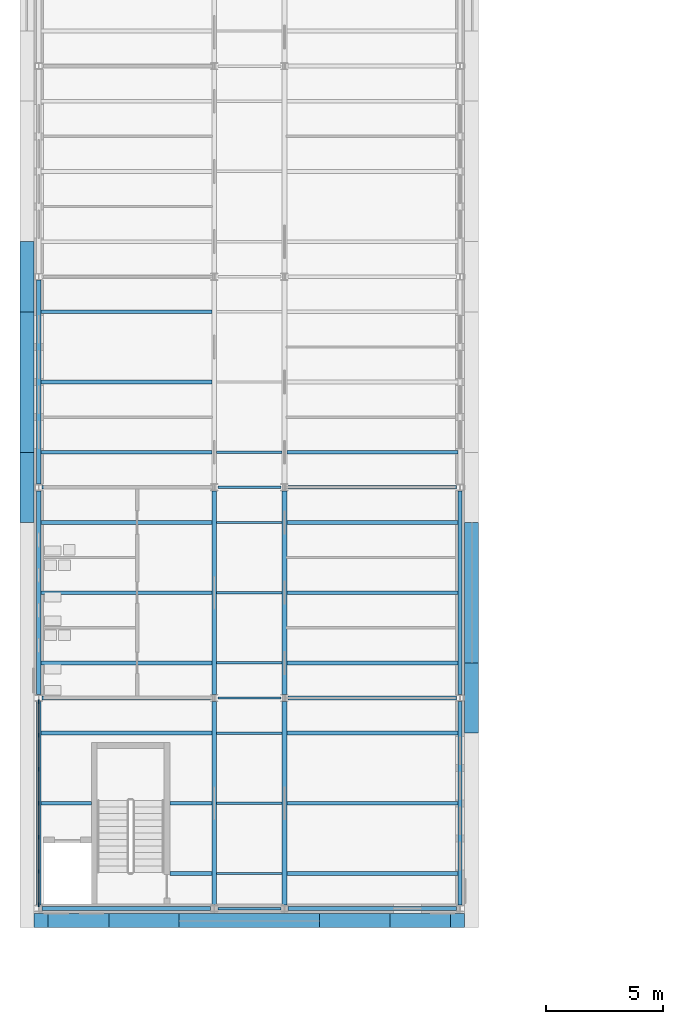
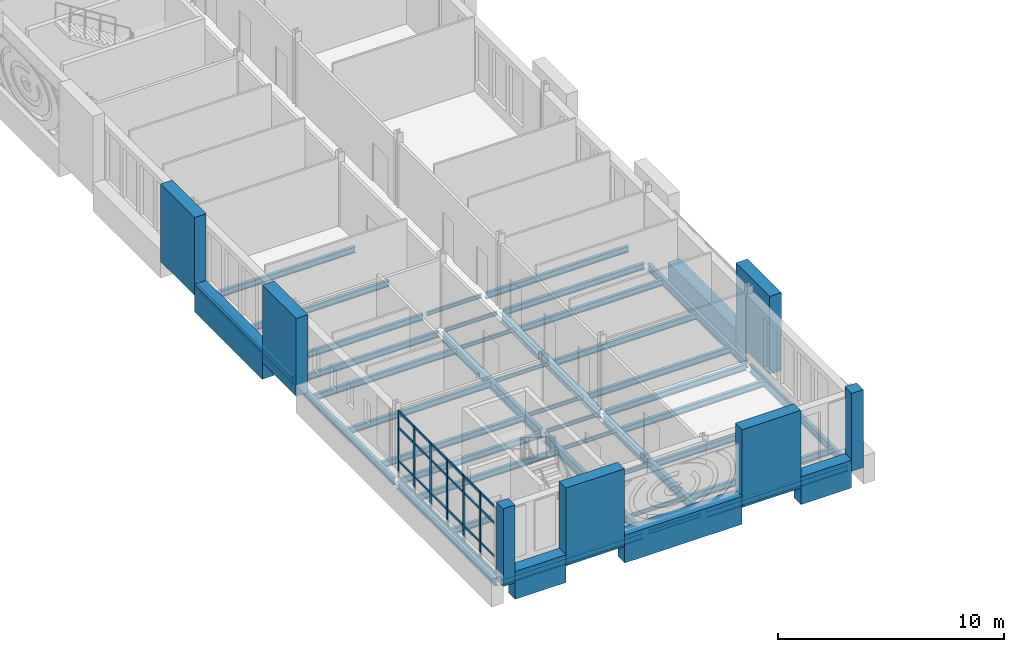
# One storey, part 18 of 154: 47 beams, 38 members, 1 element without a shape of its own.
"""IFC4 building model written with IfcOpenShell, lengths in metres."""

import ifcopenshell
import ifcopenshell.guid

model = None  # the IFC model being written
_history = None  # IfcOwnerHistory: only IFC2X3 demands one
_inside = {}  # id of a spatial element -> (the spatial element, [elements in it])
_under = {}  # id of a project, library or spatial element -> (it, [spatial elements below it])
_declared = {}  # id of a project -> (the project, [libraries it declares])
_typed = {}  # id of a type object -> (the type object, [elements of that type])
_made_of = {}  # id of a material, layer set ... -> (it, [elements and type objects made of it])


def new_model(schema):
    """Start an empty IFC model of exactly this schema.

    Asked for "IFC4X3", IfcOpenShell would pick the latest addendum, in which some entities
    have other attributes; the version numbers below select the first issue.
    IFC2X3 requires an IfcOwnerHistory on every rooted entity: one is made here for all.
    """
    global model, _history
    if schema == "IFC4X3":
        model = ifcopenshell.file(schema_version=(4, 3, 0, 0))
    else:
        model = ifcopenshell.file(schema=schema)
    _inside.clear()
    _under.clear()
    _declared.clear()
    _typed.clear()
    _made_of.clear()
    _history = None
    if model.schema == "IFC2X3":
        org = make("IfcOrganization", Name="unknown")
        user = make(
            "IfcPersonAndOrganization",
            ThePerson=make("IfcPerson", FamilyName="unknown"),
            TheOrganization=org,
        )
        app = make(
            "IfcApplication",
            ApplicationDeveloper=org,
            Version="unknown",
            ApplicationFullName="unknown",
            ApplicationIdentifier="unknown",
        )
        _history = make(
            "IfcOwnerHistory",
            OwningUser=user,
            OwningApplication=app,
            ChangeAction="ADDED",
            CreationDate=0,
        )
    return model


def make(cls, **values):
    """One entity of the class cls with the attributes given. An attribute that is None is left unset."""
    return model.create_entity(
        cls, **{name: value for name, value in values.items() if value is not None}
    )


def rooted(cls, **values):
    """An entity with a GlobalId (a new one), such as an element, a storey or a relation."""
    return make(cls, GlobalId=ifcopenshell.guid.new(), OwnerHistory=_history, **values)


def si_unit(unit_type, name, prefix=None):
    """IfcSIUnit, for example si_unit("LENGTHUNIT", "METRE", prefix="MILLI")."""
    return make("IfcSIUnit", UnitType=unit_type, Prefix=prefix, Name=name)


def assignment(units):
    """IfcUnitAssignment: the units of a project."""
    return None if units is None else make("IfcUnitAssignment", Units=units)


def point(xyz):
    """IfcCartesianPoint."""
    return None if xyz is None else make("IfcCartesianPoint", Coordinates=xyz)


def direction(xyz):
    """IfcDirection."""
    return None if xyz is None else make("IfcDirection", DirectionRatios=xyz)


def frame(location, z_axis=None, x_axis=None):
    """IfcAxis2Placement3D, a coordinate frame: its origin and axes. An axis left out is left unset."""
    return make(
        "IfcAxis2Placement3D",
        Location=point(location),
        Axis=direction(z_axis),
        RefDirection=direction(x_axis),
    )


def frame_2d(location, x_axis=None):
    """IfcAxis2Placement2D, a coordinate frame in the plane: its origin and x axis."""
    return make(
        "IfcAxis2Placement2D", Location=point(location), RefDirection=direction(x_axis)
    )


def origin():
    """The frame at (0, 0, 0) with its axes left unset."""
    return frame((0.0, 0.0, 0.0))


def origin_2d():
    """The frame at (0, 0) in the plane with its x axis left unset."""
    return frame_2d((0.0, 0.0))


def place(relative_to, where):
    """IfcLocalPlacement: puts the frame where relative to a parent placement (None: the world)."""
    return make(
        "IfcLocalPlacement", PlacementRelTo=relative_to, RelativePlacement=where
    )


def context(
    kind, dimensions, precision=None, world=None, true_north=None, identifier=None
):
    """IfcGeometricRepresentationContext, for example the 3D "Model" context."""
    return make(
        "IfcGeometricRepresentationContext",
        ContextIdentifier=identifier,
        ContextType=kind,
        CoordinateSpaceDimension=dimensions,
        Precision=precision,
        WorldCoordinateSystem=world,
        TrueNorth=true_north,
    )


def subcontext(parent, identifier, kind, view, scale=None):
    """IfcGeometricRepresentationSubContext, for example "Body" below "Model"."""
    return make(
        "IfcGeometricRepresentationSubContext",
        ContextIdentifier=identifier,
        ContextType=kind,
        ParentContext=parent,
        TargetScale=scale,
        TargetView=view,
    )


def project(units=None, contexts=None):
    """IfcProject with its units and contexts."""
    return rooted(
        "IfcProject",
        Name="project",
        RepresentationContexts=contexts,
        UnitsInContext=assignment(units),
    )


def spatial(cls, under=None, at=None, **own):
    """A site, building, storey or space (cls), placed at a placement, below another one or the project."""
    s = rooted(cls, ObjectPlacement=at, **own)
    if under is not None:
        _under.setdefault(under.id(), (under, []))[1].append(s)
    return s


def profile(cls, at=None, kind="AREA", **sizes):
    """A parametric profile (cls). Its sizes go by their IFC names, for example OverallWidth=200.0."""
    return make(cls, ProfileType=kind, Position=at, **sizes)


def rectangle(**sizes):
    """IfcRectangleProfileDef."""
    return profile("IfcRectangleProfileDef", **sizes)


def i_section(**sizes):
    """IfcIShapeProfileDef."""
    return profile("IfcIShapeProfileDef", **sizes)


def extrude(swept, where, along, depth):
    """IfcExtrudedAreaSolid: the profile swept, set in the frame where, extruded along a direction by depth."""
    return make(
        "IfcExtrudedAreaSolid",
        SweptArea=swept,
        Position=where,
        ExtrudedDirection=direction(along),
        Depth=depth,
    )


def shape(context_of_items, identifier, shape_type, items):
    """IfcShapeRepresentation: the items that make up one representation, for example the "Body"."""
    return make(
        "IfcShapeRepresentation",
        ContextOfItems=context_of_items,
        RepresentationIdentifier=identifier,
        RepresentationType=shape_type,
        Items=items,
    )


def material(Name=None, Category=None):
    """IfcMaterial."""
    return make("IfcMaterial", Name=Name, Category=Category)


def layer(
    of_material, thickness, ventilated=None, Name=None, Category=None, Priority=None
):
    """IfcMaterialLayer: one layer of a wall or slab, of a material (None: an air gap)."""
    return make(
        "IfcMaterialLayer",
        Material=of_material,
        LayerThickness=thickness,
        IsVentilated=ventilated,
        Name=Name,
        Category=Category,
        Priority=Priority,
    )


def layer_set(layers, Name=None):
    """IfcMaterialLayerSet."""
    return make("IfcMaterialLayerSet", MaterialLayers=layers, LayerSetName=Name)


def material_profile(
    of_material, cross_section, Name=None, Category=None, Priority=None
):
    """IfcMaterialProfile: a cross section and its material."""
    return make(
        "IfcMaterialProfile",
        Name=Name,
        Material=of_material,
        Profile=cross_section,
        Priority=Priority,
        Category=Category,
    )


def profile_set(profiles, Name=None, composite=None):
    """IfcMaterialProfileSet."""
    return make(
        "IfcMaterialProfileSet",
        Name=Name,
        MaterialProfiles=profiles,
        CompositeProfile=composite,
    )


def made_of(thing, what):
    """Note that an element or type object is made of a material, layer set ...; save() writes the relation."""
    if what is not None:
        _made_of.setdefault(what.id(), (what, []))[1].append(thing)
    return thing


def type_object(cls, material=None, **own):
    """A type object (cls), such as IfcWallType, which elements share."""
    return made_of(rooted(cls, **own), material)


def element(
    cls,
    number,
    at=None,
    inside=None,
    cuts=None,
    type_object=None,
    material=None,
    context=None,
    identifier="Body",
    shape_type=None,
    held_by="IfcProductDefinitionShape",
    body=None,
    shapes=None,
    **own,
):
    """One element of the class cls, such as IfcWall. Its Tag is "e" and its number.

    at: its placement. inside: the storey or other place that contains it. cuts: it is an
    opening in that element (IfcRelVoidsElement). A single representation is given by context,
    identifier, shape_type and body (its items); several are given by shapes. held_by: the class
    of the entity that holds the representations. save() writes the other relations.
    """
    e = rooted(cls, Tag="e%d" % number, ObjectPlacement=at, **own)
    if body is not None:
        shapes = [shape(context, identifier, shape_type, body)]
    if shapes is not None:
        e.Representation = make(held_by, Representations=shapes)
    if inside is not None:
        _inside.setdefault(inside.id(), (inside, []))[1].append(e)
    if cuts is not None:
        rooted(
            "IfcRelVoidsElement", RelatingBuildingElement=cuts, RelatedOpeningElement=e
        )
    if type_object is not None:
        _typed.setdefault(type_object.id(), (type_object, []))[1].append(e)
    return made_of(e, material)


def aggregate(whole, parts):
    """IfcRelAggregates: a whole, such as a stair, and the parts it consists of."""
    return rooted("IfcRelAggregates", RelatingObject=whole, RelatedObjects=parts)


def save(model, path):
    """Write the relations noted so far, then the file.

    IfcRelAggregates (storeys below a building ...), IfcRelContainedInSpatialStructure (elements
    in a storey), IfcRelDefinesByType, IfcRelAssociatesMaterial and IfcRelDeclares: one each for
    every whole, place, type object, material and project.
    """
    for whole, parts in _under.values():
        aggregate(whole, parts)
    for where, things in _inside.values():
        rooted(
            "IfcRelContainedInSpatialStructure",
            RelatedElements=things,
            RelatingStructure=where,
        )
    for kind, things in _typed.values():
        rooted("IfcRelDefinesByType", RelatedObjects=things, RelatingType=kind)
    for what, things in _made_of.values():
        rooted("IfcRelAssociatesMaterial", RelatedObjects=things, RelatingMaterial=what)
    for by, libraries in _declared.values():
        rooted("IfcRelDeclares", RelatingContext=by, RelatedDefinitions=libraries)
    model.write(path)


model = new_model("IFC4")

# Units and contexts
model_context = context("Model", 3, precision=1e-05, world=origin(), true_north=direction((0.0, 1.0)))
body_context = subcontext(model_context, "Body", "Model", "MODEL_VIEW")
ifc_project = project(units=[si_unit("LENGTHUNIT", "METRE"), si_unit("AREAUNIT", "SQUARE_METRE"), si_unit("VOLUMEUNIT", "CUBIC_METRE"), si_unit("PLANEANGLEUNIT", "RADIAN"), si_unit("MASSUNIT", "GRAM", prefix="KILO")], contexts=[model_context])

# Site, building, storey
site_placement = place(None, origin())
site = spatial("IfcSite", under=ifc_project, at=site_placement, CompositionType="ELEMENT")
building_placement = place(site_placement, origin())
building = spatial("IfcBuilding", under=site, at=building_placement, Name="Golden Quay Civic Hall", CompositionType="ELEMENT")
storey_placement = place(building_placement, frame((0.0, 0.0, 14.39990234375)))
storey = spatial("IfcBuildingStorey", under=building, at=storey_placement, Name="L03", CompositionType="ELEMENT", Elevation=14.39990234375)

# Curtain wall, members
ifc_material_1 = material(Name="Glass, laminated double glazed", Category="glass")
ifc_layer = layer(ifc_material_1, 0.199951171875)
ifc_layer_set = layer_set([ifc_layer], Name="Glazed core strip curtain wall")
curtain_wall_type = type_object("IfcCurtainWallType", Name="Glazed core strip curtain wall", PredefinedType="NOTDEFINED", material=ifc_layer_set)
curtain_wall_placement = place(storey_placement, origin())
curtain_wall = element("IfcCurtainWall", 1, at=curtain_wall_placement, inside=storey, type_object=curtain_wall_type, Name="Glazed core strip curtain wall L03 1", PredefinedType="NOTDEFINED")
ifc_material_2 = material(Name="Aluminium, anodised", Category="aluminium")
ifc_material_profile_1 = material_profile(ifc_material_2, rectangle(XDim=0.06005859375, YDim=0.159912109375, at=origin_2d()), Name="Aluminium 60 x 160")
ifc_profile_set_1 = profile_set([ifc_material_profile_1], Name="Aluminium, anodised")
member_type_1 = type_object("IfcMemberType", Name="Aluminium mullion 60 x 160", PredefinedType="MULLION", material=ifc_profile_set_1)
member_1_placement = place(storey_placement, frame((0.0, -8.8349609375, 0.0), z_axis=(0.0, 0.0, 1.0), x_axis=(-1.0, 0.0, 0.0)))
member_1 = element("IfcMember", 2, at=member_1_placement, type_object=member_type_1, Name="CW2 mullion 1", PredefinedType="MULLION", context=body_context, shape_type="SweptSolid", body=[
    extrude(rectangle(XDim=0.06005859375, YDim=0.159912109375, at=origin_2d()), origin(), (0.0, 0.0, 1.0), 3.60009765625),
])
member_2_placement = place(storey_placement, frame((0.0, -7.409912109375, 0.0), z_axis=(0.0, 0.0, 1.0), x_axis=(-1.0, 0.0, 0.0)))
member_2 = element("IfcMember", 3, at=member_2_placement, type_object=member_type_1, Name="CW2 mullion 2", PredefinedType="MULLION", context=body_context, shape_type="SweptSolid", body=[
    extrude(rectangle(XDim=0.06005859375, YDim=0.159912109375, at=origin_2d()), origin(), (0.0, 0.0, 1.0), 3.60009765625),
])
member_3_placement = place(storey_placement, frame((0.0, -5.955078125, 0.0), z_axis=(0.0, 0.0, 1.0), x_axis=(-1.0, 0.0, 0.0)))
member_3 = element("IfcMember", 4, at=member_3_placement, type_object=member_type_1, Name="CW2 mullion 3", PredefinedType="MULLION", context=body_context, shape_type="SweptSolid", body=[
    extrude(rectangle(XDim=0.06005859375, YDim=0.159912109375, at=origin_2d()), origin(), (0.0, 0.0, 1.0), 3.60009765625),
])
member_4_placement = place(storey_placement, frame((0.0, -4.5, 0.0), z_axis=(0.0, 0.0, 1.0), x_axis=(-1.0, 0.0, 0.0)))
member_4 = element("IfcMember", 5, at=member_4_placement, type_object=member_type_1, Name="CW2 mullion 4", PredefinedType="MULLION", context=body_context, shape_type="SweptSolid", body=[
    extrude(rectangle(XDim=0.06005859375, YDim=0.159912109375, at=origin_2d()), origin(), (0.0, 0.0, 1.0), 3.60009765625),
])
member_5_placement = place(storey_placement, frame((0.0, -3.044921875, 0.0), z_axis=(0.0, 0.0, 1.0), x_axis=(-1.0, 0.0, 0.0)))
member_5 = element("IfcMember", 6, at=member_5_placement, type_object=member_type_1, Name="CW2 mullion 5", PredefinedType="MULLION", context=body_context, shape_type="SweptSolid", body=[
    extrude(rectangle(XDim=0.06005859375, YDim=0.159912109375, at=origin_2d()), origin(), (0.0, 0.0, 1.0), 3.60009765625),
])
member_6_placement = place(storey_placement, frame((0.0, -1.590087890625, 0.0), z_axis=(0.0, 0.0, 1.0), x_axis=(-1.0, 0.0, 0.0)))
member_6 = element("IfcMember", 7, at=member_6_placement, type_object=member_type_1, Name="CW2 mullion 6", PredefinedType="MULLION", context=body_context, shape_type="SweptSolid", body=[
    extrude(rectangle(XDim=0.06005859375, YDim=0.159912109375, at=origin_2d()), origin(), (0.0, 0.0, 1.0), 3.60009765625),
])
member_7_placement = place(storey_placement, frame((0.0, -0.1650390625, 0.0), z_axis=(0.0, 0.0, 1.0), x_axis=(-1.0, 0.0, 0.0)))
member_7 = element("IfcMember", 8, at=member_7_placement, type_object=member_type_1, Name="CW2 mullion 7", PredefinedType="MULLION", context=body_context, shape_type="SweptSolid", body=[
    extrude(rectangle(XDim=0.06005859375, YDim=0.159912109375, at=origin_2d()), origin(), (0.0, 0.0, 1.0), 3.60009765625),
])
ifc_material_3 = material(Name="Aluminium, anodised", Category="aluminium")
ifc_material_profile_2 = material_profile(ifc_material_3, rectangle(XDim=0.06005859375, YDim=0.1201171875, at=origin_2d()), Name="Aluminium 60 x 120")
ifc_profile_set_2 = profile_set([ifc_material_profile_2], Name="Aluminium, anodised")
member_type_2 = type_object("IfcMemberType", Name="Aluminium transom 60 x 120", PredefinedType="USERDEFINED", material=ifc_profile_set_2)
member_8_placement = place(storey_placement, frame((0.0, -8.804931640625, 0.030029296875), z_axis=(0.0, 1.0, 0.0), x_axis=(-1.0, 0.0, 0.0)))
member_8 = element("IfcMember", 9, at=member_8_placement, type_object=member_type_2, Name="CW2 transom 1.1", ObjectType="TRANSOM", PredefinedType="USERDEFINED", context=body_context, shape_type="SweptSolid", body=[
    extrude(rectangle(XDim=0.06005859375, YDim=0.1201171875, at=origin_2d()), origin(), (0.0, 0.0, 1.0), 1.364990234375),
])
member_9_placement = place(storey_placement, frame((0.0, -8.804931640625, 0.900146484375), z_axis=(0.0, 1.0, 0.0), x_axis=(-1.0, 0.0, 0.0)))
member_9 = element("IfcMember", 10, at=member_9_placement, type_object=member_type_2, Name="CW2 transom 1.2", ObjectType="TRANSOM", PredefinedType="USERDEFINED", context=body_context, shape_type="SweptSolid", body=[
    extrude(rectangle(XDim=0.06005859375, YDim=0.1201171875, at=origin_2d()), origin(), (0.0, 0.0, 1.0), 1.364990234375),
])
member_10_placement = place(storey_placement, frame((0.0, -8.804931640625, 2.7001953125), z_axis=(0.0, 1.0, 0.0), x_axis=(-1.0, 0.0, 0.0)))
member_10 = element("IfcMember", 11, at=member_10_placement, type_object=member_type_2, Name="CW2 transom 1.3", ObjectType="TRANSOM", PredefinedType="USERDEFINED", context=body_context, shape_type="SweptSolid", body=[
    extrude(rectangle(XDim=0.06005859375, YDim=0.1201171875, at=origin_2d()), origin(), (0.0, 0.0, 1.0), 1.364990234375),
])
member_11_placement = place(storey_placement, frame((0.0, -8.804931640625, 3.570068359375), z_axis=(0.0, 1.0, 0.0), x_axis=(-1.0, 0.0, 0.0)))
member_11 = element("IfcMember", 12, at=member_11_placement, type_object=member_type_2, Name="CW2 transom 1.4", ObjectType="TRANSOM", PredefinedType="USERDEFINED", context=body_context, shape_type="SweptSolid", body=[
    extrude(rectangle(XDim=0.06005859375, YDim=0.1201171875, at=origin_2d()), origin(), (0.0, 0.0, 1.0), 1.364990234375),
])
member_12_placement = place(storey_placement, frame((0.0, -7.3798828125, 0.030029296875), z_axis=(0.0, 1.0, 0.0), x_axis=(-1.0, 0.0, 0.0)))
member_12 = element("IfcMember", 13, at=member_12_placement, type_object=member_type_2, Name="CW2 transom 2.1", ObjectType="TRANSOM", PredefinedType="USERDEFINED", context=body_context, shape_type="SweptSolid", body=[
    extrude(rectangle(XDim=0.06005859375, YDim=0.1201171875, at=origin_2d()), origin(), (0.0, 0.0, 1.0), 1.394775390625),
])
member_13_placement = place(storey_placement, frame((0.0, -7.3798828125, 0.900146484375), z_axis=(0.0, 1.0, 0.0), x_axis=(-1.0, 0.0, 0.0)))
member_13 = element("IfcMember", 14, at=member_13_placement, type_object=member_type_2, Name="CW2 transom 2.2", ObjectType="TRANSOM", PredefinedType="USERDEFINED", context=body_context, shape_type="SweptSolid", body=[
    extrude(rectangle(XDim=0.06005859375, YDim=0.1201171875, at=origin_2d()), origin(), (0.0, 0.0, 1.0), 1.394775390625),
])
member_14_placement = place(storey_placement, frame((0.0, -7.3798828125, 2.7001953125), z_axis=(0.0, 1.0, 0.0), x_axis=(-1.0, 0.0, 0.0)))
member_14 = element("IfcMember", 15, at=member_14_placement, type_object=member_type_2, Name="CW2 transom 2.3", ObjectType="TRANSOM", PredefinedType="USERDEFINED", context=body_context, shape_type="SweptSolid", body=[
    extrude(rectangle(XDim=0.06005859375, YDim=0.1201171875, at=origin_2d()), origin(), (0.0, 0.0, 1.0), 1.394775390625),
])
member_15_placement = place(storey_placement, frame((0.0, -7.3798828125, 3.570068359375), z_axis=(0.0, 1.0, 0.0), x_axis=(-1.0, 0.0, 0.0)))
member_15 = element("IfcMember", 16, at=member_15_placement, type_object=member_type_2, Name="CW2 transom 2.4", ObjectType="TRANSOM", PredefinedType="USERDEFINED", context=body_context, shape_type="SweptSolid", body=[
    extrude(rectangle(XDim=0.06005859375, YDim=0.1201171875, at=origin_2d()), origin(), (0.0, 0.0, 1.0), 1.394775390625),
])
member_16_placement = place(storey_placement, frame((0.0, -5.925048828125, 0.030029296875), z_axis=(0.0, 1.0, 0.0), x_axis=(-1.0, 0.0, 0.0)))
member_16 = element("IfcMember", 17, at=member_16_placement, type_object=member_type_2, Name="CW2 transom 3.1", ObjectType="TRANSOM", PredefinedType="USERDEFINED", context=body_context, shape_type="SweptSolid", body=[
    extrude(rectangle(XDim=0.06005859375, YDim=0.1201171875, at=origin_2d()), origin(), (0.0, 0.0, 1.0), 1.39501953125),
])
member_17_placement = place(storey_placement, frame((0.0, -5.925048828125, 0.900146484375), z_axis=(0.0, 1.0, 0.0), x_axis=(-1.0, 0.0, 0.0)))
member_17 = element("IfcMember", 18, at=member_17_placement, type_object=member_type_2, Name="CW2 transom 3.2", ObjectType="TRANSOM", PredefinedType="USERDEFINED", context=body_context, shape_type="SweptSolid", body=[
    extrude(rectangle(XDim=0.06005859375, YDim=0.1201171875, at=origin_2d()), origin(), (0.0, 0.0, 1.0), 1.39501953125),
])
member_18_placement = place(storey_placement, frame((0.0, -5.925048828125, 2.7001953125), z_axis=(0.0, 1.0, 0.0), x_axis=(-1.0, 0.0, 0.0)))
member_18 = element("IfcMember", 19, at=member_18_placement, type_object=member_type_2, Name="CW2 transom 3.3", ObjectType="TRANSOM", PredefinedType="USERDEFINED", context=body_context, shape_type="SweptSolid", body=[
    extrude(rectangle(XDim=0.06005859375, YDim=0.1201171875, at=origin_2d()), origin(), (0.0, 0.0, 1.0), 1.39501953125),
])
member_19_placement = place(storey_placement, frame((0.0, -5.925048828125, 3.570068359375), z_axis=(0.0, 1.0, 0.0), x_axis=(-1.0, 0.0, 0.0)))
member_19 = element("IfcMember", 20, at=member_19_placement, type_object=member_type_2, Name="CW2 transom 3.4", ObjectType="TRANSOM", PredefinedType="USERDEFINED", context=body_context, shape_type="SweptSolid", body=[
    extrude(rectangle(XDim=0.06005859375, YDim=0.1201171875, at=origin_2d()), origin(), (0.0, 0.0, 1.0), 1.39501953125),
])
member_20_placement = place(storey_placement, frame((0.0, -4.469970703125, 0.030029296875), z_axis=(0.0, 1.0, 0.0), x_axis=(-1.0, 0.0, 0.0)))
member_20 = element("IfcMember", 21, at=member_20_placement, type_object=member_type_2, Name="CW2 transom 4.1", ObjectType="TRANSOM", PredefinedType="USERDEFINED", context=body_context, shape_type="SweptSolid", body=[
    extrude(rectangle(XDim=0.06005859375, YDim=0.1201171875, at=origin_2d()), origin(), (0.0, 0.0, 1.0), 1.39501953125),
])
member_21_placement = place(storey_placement, frame((0.0, -4.469970703125, 0.900146484375), z_axis=(0.0, 1.0, 0.0), x_axis=(-1.0, 0.0, 0.0)))
member_21 = element("IfcMember", 22, at=member_21_placement, type_object=member_type_2, Name="CW2 transom 4.2", ObjectType="TRANSOM", PredefinedType="USERDEFINED", context=body_context, shape_type="SweptSolid", body=[
    extrude(rectangle(XDim=0.06005859375, YDim=0.1201171875, at=origin_2d()), origin(), (0.0, 0.0, 1.0), 1.39501953125),
])
member_22_placement = place(storey_placement, frame((0.0, -4.469970703125, 2.7001953125), z_axis=(0.0, 1.0, 0.0), x_axis=(-1.0, 0.0, 0.0)))
member_22 = element("IfcMember", 23, at=member_22_placement, type_object=member_type_2, Name="CW2 transom 4.3", ObjectType="TRANSOM", PredefinedType="USERDEFINED", context=body_context, shape_type="SweptSolid", body=[
    extrude(rectangle(XDim=0.06005859375, YDim=0.1201171875, at=origin_2d()), origin(), (0.0, 0.0, 1.0), 1.39501953125),
])
member_23_placement = place(storey_placement, frame((0.0, -4.469970703125, 3.570068359375), z_axis=(0.0, 1.0, 0.0), x_axis=(-1.0, 0.0, 0.0)))
member_23 = element("IfcMember", 24, at=member_23_placement, type_object=member_type_2, Name="CW2 transom 4.4", ObjectType="TRANSOM", PredefinedType="USERDEFINED", context=body_context, shape_type="SweptSolid", body=[
    extrude(rectangle(XDim=0.06005859375, YDim=0.1201171875, at=origin_2d()), origin(), (0.0, 0.0, 1.0), 1.39501953125),
])
member_24_placement = place(storey_placement, frame((0.0, -3.014892578125, 0.030029296875), z_axis=(0.0, 1.0, 0.0), x_axis=(-1.0, 0.0, 0.0)))
member_24 = element("IfcMember", 25, at=member_24_placement, type_object=member_type_2, Name="CW2 transom 5.1", ObjectType="TRANSOM", PredefinedType="USERDEFINED", context=body_context, shape_type="SweptSolid", body=[
    extrude(rectangle(XDim=0.06005859375, YDim=0.1201171875, at=origin_2d()), origin(), (0.0, 0.0, 1.0), 1.394775390625),
])
member_25_placement = place(storey_placement, frame((0.0, -3.014892578125, 0.900146484375), z_axis=(0.0, 1.0, 0.0), x_axis=(-1.0, 0.0, 0.0)))
member_25 = element("IfcMember", 26, at=member_25_placement, type_object=member_type_2, Name="CW2 transom 5.2", ObjectType="TRANSOM", PredefinedType="USERDEFINED", context=body_context, shape_type="SweptSolid", body=[
    extrude(rectangle(XDim=0.06005859375, YDim=0.1201171875, at=origin_2d()), origin(), (0.0, 0.0, 1.0), 1.394775390625),
])
member_26_placement = place(storey_placement, frame((0.0, -3.014892578125, 2.7001953125), z_axis=(0.0, 1.0, 0.0), x_axis=(-1.0, 0.0, 0.0)))
member_26 = element("IfcMember", 27, at=member_26_placement, type_object=member_type_2, Name="CW2 transom 5.3", ObjectType="TRANSOM", PredefinedType="USERDEFINED", context=body_context, shape_type="SweptSolid", body=[
    extrude(rectangle(XDim=0.06005859375, YDim=0.1201171875, at=origin_2d()), origin(), (0.0, 0.0, 1.0), 1.394775390625),
])
member_27_placement = place(storey_placement, frame((0.0, -3.014892578125, 3.570068359375), z_axis=(0.0, 1.0, 0.0), x_axis=(-1.0, 0.0, 0.0)))
member_27 = element("IfcMember", 28, at=member_27_placement, type_object=member_type_2, Name="CW2 transom 5.4", ObjectType="TRANSOM", PredefinedType="USERDEFINED", context=body_context, shape_type="SweptSolid", body=[
    extrude(rectangle(XDim=0.06005859375, YDim=0.1201171875, at=origin_2d()), origin(), (0.0, 0.0, 1.0), 1.394775390625),
])
member_28_placement = place(storey_placement, frame((0.0, -1.56005859375, 0.030029296875), z_axis=(0.0, 1.0, 0.0), x_axis=(-1.0, 0.0, 0.0)))
member_28 = element("IfcMember", 29, at=member_28_placement, type_object=member_type_2, Name="CW2 transom 6.1", ObjectType="TRANSOM", PredefinedType="USERDEFINED", context=body_context, shape_type="SweptSolid", body=[
    extrude(rectangle(XDim=0.06005859375, YDim=0.1201171875, at=origin_2d()), origin(), (0.0, 0.0, 1.0), 1.364990234375),
])
member_29_placement = place(storey_placement, frame((0.0, -1.56005859375, 0.900146484375), z_axis=(0.0, 1.0, 0.0), x_axis=(-1.0, 0.0, 0.0)))
member_29 = element("IfcMember", 30, at=member_29_placement, type_object=member_type_2, Name="CW2 transom 6.2", ObjectType="TRANSOM", PredefinedType="USERDEFINED", context=body_context, shape_type="SweptSolid", body=[
    extrude(rectangle(XDim=0.06005859375, YDim=0.1201171875, at=origin_2d()), origin(), (0.0, 0.0, 1.0), 1.364990234375),
])
member_30_placement = place(storey_placement, frame((0.0, -1.56005859375, 2.7001953125), z_axis=(0.0, 1.0, 0.0), x_axis=(-1.0, 0.0, 0.0)))
member_30 = element("IfcMember", 31, at=member_30_placement, type_object=member_type_2, Name="CW2 transom 6.3", ObjectType="TRANSOM", PredefinedType="USERDEFINED", context=body_context, shape_type="SweptSolid", body=[
    extrude(rectangle(XDim=0.06005859375, YDim=0.1201171875, at=origin_2d()), origin(), (0.0, 0.0, 1.0), 1.364990234375),
])
member_31_placement = place(storey_placement, frame((0.0, -1.56005859375, 3.570068359375), z_axis=(0.0, 1.0, 0.0), x_axis=(-1.0, 0.0, 0.0)))
member_31 = element("IfcMember", 32, at=member_31_placement, type_object=member_type_2, Name="CW2 transom 6.4", ObjectType="TRANSOM", PredefinedType="USERDEFINED", context=body_context, shape_type="SweptSolid", body=[
    extrude(rectangle(XDim=0.06005859375, YDim=0.1201171875, at=origin_2d()), origin(), (0.0, 0.0, 1.0), 1.364990234375),
])
aggregate(curtain_wall, [member_1, member_2, member_3, member_4, member_5, member_6, member_7, member_8, member_9, member_10, member_11, member_12, member_13, member_14, member_15, member_16, member_17, member_18, member_19, member_20, member_21, member_22, member_23, member_24, member_25, member_26, member_27, member_28, member_29, member_30, member_31])

# Members
ifc_material_4 = material(Name="Concrete C40/50", Category="concrete")
ifc_material_profile_3 = material_profile(ifc_material_4, rectangle(XDim=3.0, YDim=0.60009765625, at=origin_2d()), Name="RC 3000x600")
ifc_profile_set_3 = profile_set([ifc_material_profile_3], Name="Concrete C40/50")
member_type_3 = type_object("IfcMemberType", Name="Precast concrete facade pier 3000 x 600", PredefinedType="POST", material=ifc_profile_set_3)
for number, where, z_axis, x_axis, name in (
    (33, (-0.5, 9.0, 0.0), (0.0, 0.0, 1.0), (0.0, 1.0, 0.0), "Precast concrete facade pier 3000 x 600 L03 1"),
    (34, (-0.5, 18.0, 0.0), (0.0, 0.0, 1.0), (0.0, 1.0, 0.0), "Precast concrete facade pier 3000 x 600 L03 2"),
    (35, (18.5, 0.0, 0.0), (0.0, 0.0, 1.0), (0.0, 1.0, 0.0), "Precast concrete facade pier 3000 x 600 L03 11"),
    (36, (4.5, -9.5, 0.0), (0.0, 0.0, 1.0), (1.0, 0.0, 0.0), "Precast concrete facade pier 3000 x 600 L03 17"),
    (37, (13.5, -9.5, 0.0), (0.0, 0.0, 1.0), (1.0, 0.0, 0.0), "Precast concrete facade pier 3000 x 600 L03 18"),
):
    element("IfcMember", number, at=place(storey_placement, frame(where, z_axis=z_axis, x_axis=x_axis)), inside=storey, type_object=member_type_3, Name=name, PredefinedType="POST", context=body_context, shape_type="SweptSolid", body=[
        extrude(rectangle(XDim=3.0, YDim=0.60009765625, at=origin_2d()), origin(), (0.0, 0.0, 1.0), 4.2001953125),
    ])
ifc_material_5 = material(Name="Concrete C40/50", Category="concrete")
ifc_material_profile_4 = material_profile(ifc_material_5, rectangle(XDim=0.60009765625, YDim=0.60009765625, at=origin_2d()), Name="RC 600x600")
ifc_profile_set_4 = profile_set([ifc_material_profile_4], Name="Concrete C40/50")
member_type_4 = type_object("IfcMemberType", Name="Precast concrete facade post 600 x 600", PredefinedType="POST", material=ifc_profile_set_4)
for number, where, z_axis, x_axis, name in (
    (38, (0.10009765625, -9.5, 0.0), (0.0, 0.0, 1.0), (1.0, 0.0, 0.0), "Precast concrete facade post 600 x 600 L03 4"),
    (39, (17.89990234375, -9.5, 0.0), (0.0, 0.0, 1.0), (1.0, 0.0, 0.0), "Precast concrete facade post 600 x 600 L03 5"),
):
    element("IfcMember", number, at=place(storey_placement, frame(where, z_axis=z_axis, x_axis=x_axis)), inside=storey, type_object=member_type_4, Name=name, PredefinedType="POST", context=body_context, shape_type="SweptSolid", body=[
        extrude(rectangle(XDim=0.60009765625, YDim=0.60009765625, at=origin_2d()), origin(), (0.0, 0.0, 1.0), 4.2001953125),
    ])

# Beams
ifc_material_6 = material(Name="Concrete C40/50", Category="concrete")
ifc_material_profile_5 = material_profile(ifc_material_6, rectangle(XDim=0.60009765625, YDim=1.5, at=origin_2d()), Name="RC 600x1500")
ifc_profile_set_5 = profile_set([ifc_material_profile_5], Name="Concrete C40/50")
beam_type_1 = type_object("IfcBeamType", Name="Precast concrete spandrel beam 600 x 1500", PredefinedType="SPANDREL", material=ifc_profile_set_5)
beam_1_placement = place(storey_placement, frame((-0.5, 10.5, -0.14990234375), z_axis=(0.0, 1.0, 0.0), x_axis=(-1.0, 0.0, 0.0)))
element("IfcBeam", 40, at=beam_1_placement, inside=storey, type_object=beam_type_1, Name="Precast concrete spandrel beam 600 x 1500 L03 11", PredefinedType="SPANDREL", context=body_context, shape_type="SweptSolid", body=[
    extrude(rectangle(XDim=0.60009765625, YDim=1.5, at=origin_2d()), origin(), (0.0, 0.0, 1.0), 6.0),
])
for number, where, z_axis, x_axis, name in (
    (41, (0.39990234375, -9.5, -0.14990234375), (1.0, 0.0, 0.0), (0.0, 1.0, 0.0), "Precast concrete spandrel beam 600 x 1500 L03 12"),
    (42, (15.0, -9.5, -0.14990234375), (1.0, 0.0, 0.0), (0.0, 1.0, 0.0), "Precast concrete spandrel beam 600 x 1500 L03 13"),
):
    element("IfcBeam", number, at=place(storey_placement, frame(where, z_axis=z_axis, x_axis=x_axis)), inside=storey, type_object=beam_type_1, Name=name, PredefinedType="SPANDREL", context=body_context, shape_type="SweptSolid", body=[
        extrude(rectangle(XDim=0.60009765625, YDim=1.5, at=origin_2d()), origin(), (0.0, 0.0, 1.0), 2.60009765625),
    ])
for number, where, z_axis, x_axis, name in (
    (43, (6.0, -9.5, -0.14990234375), (1.0, 0.0, 0.0), (0.0, 1.0, 0.0), "Precast concrete spandrel beam 600 x 1500 L03 14"),
    (44, (18.5, 1.5, -0.14990234375), (0.0, 1.0, 0.0), (-1.0, 0.0, 0.0), "Precast concrete spandrel beam 600 x 1500 L03 19"),
):
    element("IfcBeam", number, at=place(storey_placement, frame(where, z_axis=z_axis, x_axis=x_axis)), inside=storey, type_object=beam_type_1, Name=name, PredefinedType="SPANDREL", context=body_context, shape_type="SweptSolid", body=[
        extrude(rectangle(XDim=0.60009765625, YDim=1.5, at=origin_2d()), origin(), (0.0, 0.0, 1.0), 6.0),
    ])
ifc_material_7 = material(Name="Steel S355", Category="steel")
ifc_material_profile_6 = material_profile(ifc_material_7, i_section(OverallWidth=0.10009765625, OverallDepth=0.199951171875, WebThickness=0.005615234375, FlangeThickness=0.008544921875, FilletRadius=0.011962890625, at=origin_2d()), Name="IPE 200")
ifc_profile_set_6 = profile_set([ifc_material_profile_6], Name="Steel S355")
beam_type_2 = type_object("IfcBeamType", Name="Steel beam IPE 200", PredefinedType="BEAM", material=ifc_profile_set_6)
for number, where, z_axis, x_axis, name in (
    (45, (7.64990234375, -9.0, -0.2998046875), (1.0, 0.0, 0.0), (0.0, 1.0, 0.0), "Beam S-9-7.5"),
    (46, (7.64990234375, 0.0, -0.2998046875), (1.0, 0.0, 0.0), (0.0, 1.0, 0.0), "Beam S0-7.5"),
    (47, (7.64990234375, 9.0, -0.2998046875), (1.0, 0.0, 0.0), (0.0, 1.0, 0.0), "Beam S9-7.5"),
):
    element("IfcBeam", number, at=place(storey_placement, frame(where, z_axis=z_axis, x_axis=x_axis)), inside=storey, type_object=beam_type_2, Name=name, PredefinedType="BEAM", context=body_context, shape_type="SweptSolid", body=[
        extrude(i_section(OverallWidth=0.10009765625, OverallDepth=0.199951171875, WebThickness=0.005615234375, FlangeThickness=0.008544921875, FilletRadius=0.011962890625, at=origin_2d()), origin(), (0.0, 0.0, 1.0), 2.7001953125),
    ])
ifc_material_8 = material(Name="Steel S355", Category="steel")
ifc_material_profile_7 = material_profile(ifc_material_8, i_section(OverallWidth=0.159912109375, OverallDepth=0.330078125, WebThickness=0.007568359375, FlangeThickness=0.011474609375, FilletRadius=0.01806640625, at=origin_2d()), Name="IPE 330")
ifc_profile_set_7 = profile_set([ifc_material_profile_7], Name="Steel S355")
beam_type_3 = type_object("IfcBeamType", Name="Steel beam IPE 330", PredefinedType="BEAM", material=ifc_profile_set_7)
for number, where, z_axis, x_axis, name in (
    (48, (0.14990234375, -9.0, -0.364990234375), (1.0, 0.0, 0.0), (0.0, 1.0, 0.0), "Beam S-9-0"),
    (49, (10.64990234375, -9.0, -0.364990234375), (1.0, 0.0, 0.0), (0.0, 1.0, 0.0), "Beam S-9-10.5"),
    (50, (0.14990234375, 0.0, -0.364990234375), (1.0, 0.0, 0.0), (0.0, 1.0, 0.0), "Beam S0-0"),
    (51, (10.64990234375, 0.0, -0.364990234375), (1.0, 0.0, 0.0), (0.0, 1.0, 0.0), "Beam S0-10.5"),
    (52, (0.14990234375, 9.0, -0.364990234375), (1.0, 0.0, 0.0), (0.0, 1.0, 0.0), "Beam S9-0"),
    (53, (10.64990234375, 9.0, -0.364990234375), (1.0, 0.0, 0.0), (0.0, 1.0, 0.0), "Beam S9-10.5"),
):
    element("IfcBeam", number, at=place(storey_placement, frame(where, z_axis=z_axis, x_axis=x_axis)), inside=storey, type_object=beam_type_3, Name=name, PredefinedType="BEAM", context=body_context, shape_type="SweptSolid", body=[
        extrude(i_section(OverallWidth=0.159912109375, OverallDepth=0.330078125, WebThickness=0.007568359375, FlangeThickness=0.011474609375, FilletRadius=0.01806640625, at=origin_2d()), origin(), (0.0, 0.0, 1.0), 7.2001953125),
    ])
ifc_material_9 = material(Name="Steel S355", Category="steel")
ifc_material_profile_8 = material_profile(ifc_material_9, i_section(OverallWidth=0.179931640625, OverallDepth=0.39990234375, WebThickness=0.008544921875, FlangeThickness=0.013427734375, FilletRadius=0.02099609375, at=origin_2d()), Name="IPE 400")
ifc_profile_set_8 = profile_set([ifc_material_profile_8], Name="Steel S355")
beam_type_4 = type_object("IfcBeamType", Name="Steel beam IPE 400", PredefinedType="BEAM", material=ifc_profile_set_8)
for number, where, z_axis, x_axis, name in (
    (54, (0.0, -8.85498046875, -0.39990234375), (0.0, 1.0, 0.0), (-1.0, 0.0, 0.0), "Beam L0--9"),
    (55, (0.0, 0.14501953125, -0.39990234375), (0.0, 1.0, 0.0), (-1.0, 0.0, 0.0), "Beam L0-0"),
    (56, (0.0, 9.14501953125, -0.39990234375), (0.0, 1.0, 0.0), (-1.0, 0.0, 0.0), "Beam L0-9"),
    (57, (18.0, -8.85498046875, -0.39990234375), (0.0, 1.0, 0.0), (-1.0, 0.0, 0.0), "Beam L18--9"),
    (58, (18.0, 0.14501953125, -0.39990234375), (0.0, 1.0, 0.0), (-1.0, 0.0, 0.0), "Beam L18-0"),
):
    element("IfcBeam", number, at=place(storey_placement, frame(where, z_axis=z_axis, x_axis=x_axis)), inside=storey, type_object=beam_type_4, Name=name, PredefinedType="BEAM", context=body_context, shape_type="SweptSolid", body=[
        extrude(i_section(OverallWidth=0.179931640625, OverallDepth=0.39990234375, WebThickness=0.008544921875, FlangeThickness=0.013427734375, FilletRadius=0.02099609375, at=origin_2d()), origin(), (0.0, 0.0, 1.0), 8.7099609375),
    ])
ifc_material_10 = material(Name="Steel S355", Category="steel")
ifc_material_profile_9 = material_profile(ifc_material_10, i_section(OverallWidth=0.199951171875, OverallDepth=0.5, WebThickness=0.01025390625, FlangeThickness=0.01611328125, FilletRadius=0.02099609375, at=origin_2d()), Name="IPE 500")
ifc_profile_set_9 = profile_set([ifc_material_profile_9], Name="Steel S355")
beam_type_5 = type_object("IfcBeamType", Name="Steel beam IPE 500", PredefinedType="BEAM", material=ifc_profile_set_9)
beam_2_placement = place(storey_placement, frame((7.5, -8.85498046875, -0.449951171875), z_axis=(0.0, 1.0, 0.0), x_axis=(-1.0, 0.0, 0.0)))
element("IfcBeam", 59, at=beam_2_placement, inside=storey, type_object=beam_type_5, Name="Beam L7.5--9", PredefinedType="BEAM", context=body_context, shape_type="SweptSolid", body=[
    extrude(i_section(OverallWidth=0.199951171875, OverallDepth=0.5, WebThickness=0.01025390625, FlangeThickness=0.01611328125, FilletRadius=0.02099609375, at=origin_2d()), origin(), (0.0, 0.0, 1.0), 8.705078125),
])
beam_3_placement = place(storey_placement, frame((7.5, 0.14990234375, -0.449951171875), z_axis=(0.0, 1.0, 0.0), x_axis=(-1.0, 0.0, 0.0)))
element("IfcBeam", 60, at=beam_3_placement, inside=storey, type_object=beam_type_5, Name="Beam L7.5-0", PredefinedType="BEAM", context=body_context, shape_type="SweptSolid", body=[
    extrude(i_section(OverallWidth=0.199951171875, OverallDepth=0.5, WebThickness=0.01025390625, FlangeThickness=0.01611328125, FilletRadius=0.02099609375, at=origin_2d()), origin(), (0.0, 0.0, 1.0), 8.7001953125),
])
beam_4_placement = place(storey_placement, frame((10.5, -8.85498046875, -0.449951171875), z_axis=(0.0, 1.0, 0.0), x_axis=(-1.0, 0.0, 0.0)))
element("IfcBeam", 61, at=beam_4_placement, inside=storey, type_object=beam_type_5, Name="Beam L10.5--9", PredefinedType="BEAM", context=body_context, shape_type="SweptSolid", body=[
    extrude(i_section(OverallWidth=0.199951171875, OverallDepth=0.5, WebThickness=0.01025390625, FlangeThickness=0.01611328125, FilletRadius=0.02099609375, at=origin_2d()), origin(), (0.0, 0.0, 1.0), 8.705078125),
])
beam_5_placement = place(storey_placement, frame((10.5, 0.14990234375, -0.449951171875), z_axis=(0.0, 1.0, 0.0), x_axis=(-1.0, 0.0, 0.0)))
element("IfcBeam", 62, at=beam_5_placement, inside=storey, type_object=beam_type_5, Name="Beam L10.5-0", PredefinedType="BEAM", context=body_context, shape_type="SweptSolid", body=[
    extrude(i_section(OverallWidth=0.199951171875, OverallDepth=0.5, WebThickness=0.01025390625, FlangeThickness=0.01611328125, FilletRadius=0.02099609375, at=origin_2d()), origin(), (0.0, 0.0, 1.0), 8.7001953125),
])
ifc_material_11 = material(Name="Steel S355", Category="steel")
ifc_material_profile_10 = material_profile(ifc_material_11, i_section(OverallWidth=0.10009765625, OverallDepth=0.199951171875, WebThickness=0.005615234375, FlangeThickness=0.008544921875, FilletRadius=0.011962890625, at=origin_2d()), Name="IPE 200")
ifc_profile_set_10 = profile_set([ifc_material_profile_10], Name="Steel S355")
beam_type_6 = type_object("IfcBeamType", Name="Steel joist IPE 200", PredefinedType="JOIST", material=ifc_profile_set_10)
for number, where, z_axis, x_axis, name in (
    (63, (7.60009765625, -7.5, -0.2998046875), (1.0, 0.0, 0.0), (0.0, 1.0, 0.0), "Joist J-7.5-7.5"),
    (64, (7.60009765625, -4.5, -0.2998046875), (1.0, 0.0, 0.0), (0.0, 1.0, 0.0), "Joist J-4.5-7.5"),
    (65, (7.60009765625, -1.5, -0.2998046875), (1.0, 0.0, 0.0), (0.0, 1.0, 0.0), "Joist J-1.5-7.5"),
    (66, (7.60009765625, 1.5, -0.2998046875), (1.0, 0.0, 0.0), (0.0, 1.0, 0.0), "Joist J1.5-7.5"),
    (67, (7.60009765625, 4.5, -0.2998046875), (1.0, 0.0, 0.0), (0.0, 1.0, 0.0), "Joist J4.5-7.5"),
    (68, (7.60009765625, 7.5, -0.2998046875), (1.0, 0.0, 0.0), (0.0, 1.0, 0.0), "Joist J7.5-7.5"),
    (69, (7.60009765625, 10.5, -0.2998046875), (1.0, 0.0, 0.0), (0.0, 1.0, 0.0), "Joist J10.5-7.5"),
):
    element("IfcBeam", number, at=place(storey_placement, frame(where, z_axis=z_axis, x_axis=x_axis)), inside=storey, type_object=beam_type_6, Name=name, PredefinedType="JOIST", context=body_context, shape_type="SweptSolid", body=[
        extrude(i_section(OverallWidth=0.10009765625, OverallDepth=0.199951171875, WebThickness=0.005615234375, FlangeThickness=0.008544921875, FilletRadius=0.011962890625, at=origin_2d()), origin(), (0.0, 0.0, 1.0), 2.7998046875),
    ])
ifc_material_12 = material(Name="Steel S355", Category="steel")
ifc_material_profile_11 = material_profile(ifc_material_12, i_section(OverallWidth=0.159912109375, OverallDepth=0.330078125, WebThickness=0.007568359375, FlangeThickness=0.011474609375, FilletRadius=0.01806640625, at=origin_2d()), Name="IPE 330")
ifc_profile_set_11 = profile_set([ifc_material_profile_11], Name="Steel S355")
beam_type_7 = type_object("IfcBeamType", Name="Steel joist IPE 330", PredefinedType="JOIST", material=ifc_profile_set_11)
beam_6_placement = place(storey_placement, frame((5.60009765625, -7.5, -0.364990234375), z_axis=(1.0, 0.0, 0.0), x_axis=(0.0, 1.0, 0.0)))
element("IfcBeam", 70, at=beam_6_placement, inside=storey, type_object=beam_type_7, Name="Joist J-7.5-0-1", PredefinedType="JOIST", context=body_context, shape_type="SweptSolid", body=[
    extrude(i_section(OverallWidth=0.159912109375, OverallDepth=0.330078125, WebThickness=0.007568359375, FlangeThickness=0.011474609375, FilletRadius=0.01806640625, at=origin_2d()), origin(), (0.0, 0.0, 1.0), 1.7998046875),
])
beam_7_placement = place(storey_placement, frame((10.60009765625, -7.5, -0.364990234375), z_axis=(1.0, 0.0, 0.0), x_axis=(0.0, 1.0, 0.0)))
element("IfcBeam", 71, at=beam_7_placement, inside=storey, type_object=beam_type_7, Name="Joist J-7.5-10.5", PredefinedType="JOIST", context=body_context, shape_type="SweptSolid", body=[
    extrude(i_section(OverallWidth=0.159912109375, OverallDepth=0.330078125, WebThickness=0.007568359375, FlangeThickness=0.011474609375, FilletRadius=0.01806640625, at=origin_2d()), origin(), (0.0, 0.0, 1.0), 7.309814453125),
])
beam_8_placement = place(storey_placement, frame((0.090087890625, -4.5, -0.364990234375), z_axis=(1.0, 0.0, 0.0), x_axis=(0.0, 1.0, 0.0)))
element("IfcBeam", 72, at=beam_8_placement, inside=storey, type_object=beam_type_7, Name="Joist J-4.5-0-0", PredefinedType="JOIST", context=body_context, shape_type="SweptSolid", body=[
    extrude(i_section(OverallWidth=0.159912109375, OverallDepth=0.330078125, WebThickness=0.007568359375, FlangeThickness=0.011474609375, FilletRadius=0.01806640625, at=origin_2d()), origin(), (0.0, 0.0, 1.0), 2.159912109375),
])
beam_9_placement = place(storey_placement, frame((5.60009765625, -4.5, -0.364990234375), z_axis=(1.0, 0.0, 0.0), x_axis=(0.0, 1.0, 0.0)))
element("IfcBeam", 73, at=beam_9_placement, inside=storey, type_object=beam_type_7, Name="Joist J-4.5-0-1", PredefinedType="JOIST", context=body_context, shape_type="SweptSolid", body=[
    extrude(i_section(OverallWidth=0.159912109375, OverallDepth=0.330078125, WebThickness=0.007568359375, FlangeThickness=0.011474609375, FilletRadius=0.01806640625, at=origin_2d()), origin(), (0.0, 0.0, 1.0), 1.7998046875),
])
for number, where, z_axis, x_axis, name in (
    (74, (10.60009765625, -4.5, -0.364990234375), (1.0, 0.0, 0.0), (0.0, 1.0, 0.0), "Joist J-4.5-10.5"),
    (75, (0.090087890625, -1.5, -0.364990234375), (1.0, 0.0, 0.0), (0.0, 1.0, 0.0), "Joist J-1.5-0"),
    (76, (10.60009765625, -1.5, -0.364990234375), (1.0, 0.0, 0.0), (0.0, 1.0, 0.0), "Joist J-1.5-10.5"),
    (77, (0.090087890625, 1.5, -0.364990234375), (1.0, 0.0, 0.0), (0.0, 1.0, 0.0), "Joist J1.5-0"),
    (78, (10.60009765625, 1.5, -0.364990234375), (1.0, 0.0, 0.0), (0.0, 1.0, 0.0), "Joist J1.5-10.5"),
    (79, (0.090087890625, 4.5, -0.364990234375), (1.0, 0.0, 0.0), (0.0, 1.0, 0.0), "Joist J4.5-0"),
    (80, (10.60009765625, 4.5, -0.364990234375), (1.0, 0.0, 0.0), (0.0, 1.0, 0.0), "Joist J4.5-10.5"),
    (81, (0.090087890625, 7.5, -0.364990234375), (1.0, 0.0, 0.0), (0.0, 1.0, 0.0), "Joist J7.5-0"),
    (82, (10.60009765625, 7.5, -0.364990234375), (1.0, 0.0, 0.0), (0.0, 1.0, 0.0), "Joist J7.5-10.5"),
    (83, (0.090087890625, 10.5, -0.364990234375), (1.0, 0.0, 0.0), (0.0, 1.0, 0.0), "Joist J10.5-0"),
    (84, (10.60009765625, 10.5, -0.364990234375), (1.0, 0.0, 0.0), (0.0, 1.0, 0.0), "Joist J10.5-10.5"),
    (85, (0.090087890625, 13.5, -0.364990234375), (1.0, 0.0, 0.0), (0.0, 1.0, 0.0), "Joist J13.5-0"),
    (86, (0.090087890625, 16.5, -0.364990234375), (1.0, 0.0, 0.0), (0.0, 1.0, 0.0), "Joist J16.5-0"),
):
    element("IfcBeam", number, at=place(storey_placement, frame(where, z_axis=z_axis, x_axis=x_axis)), inside=storey, type_object=beam_type_7, Name=name, PredefinedType="JOIST", context=body_context, shape_type="SweptSolid", body=[
        extrude(i_section(OverallWidth=0.159912109375, OverallDepth=0.330078125, WebThickness=0.007568359375, FlangeThickness=0.011474609375, FilletRadius=0.01806640625, at=origin_2d()), origin(), (0.0, 0.0, 1.0), 7.309814453125),
    ])

save(model, "model.ifc")
